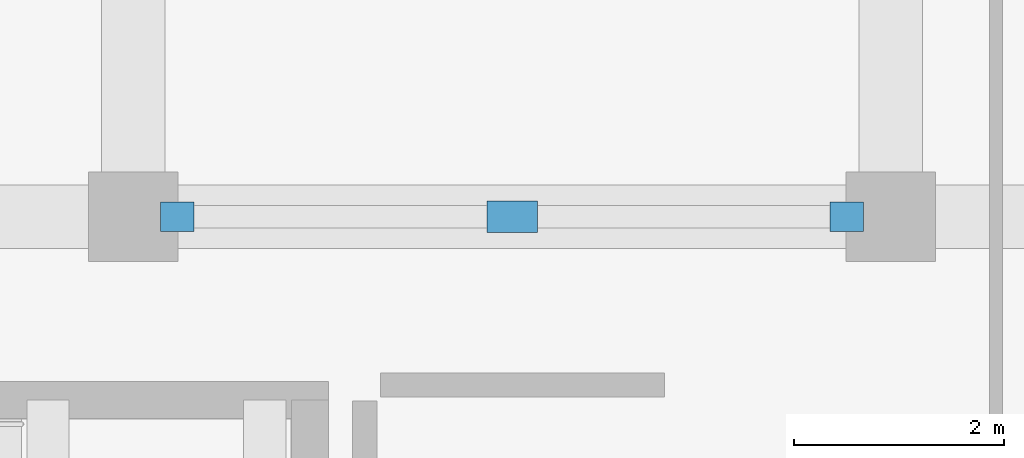
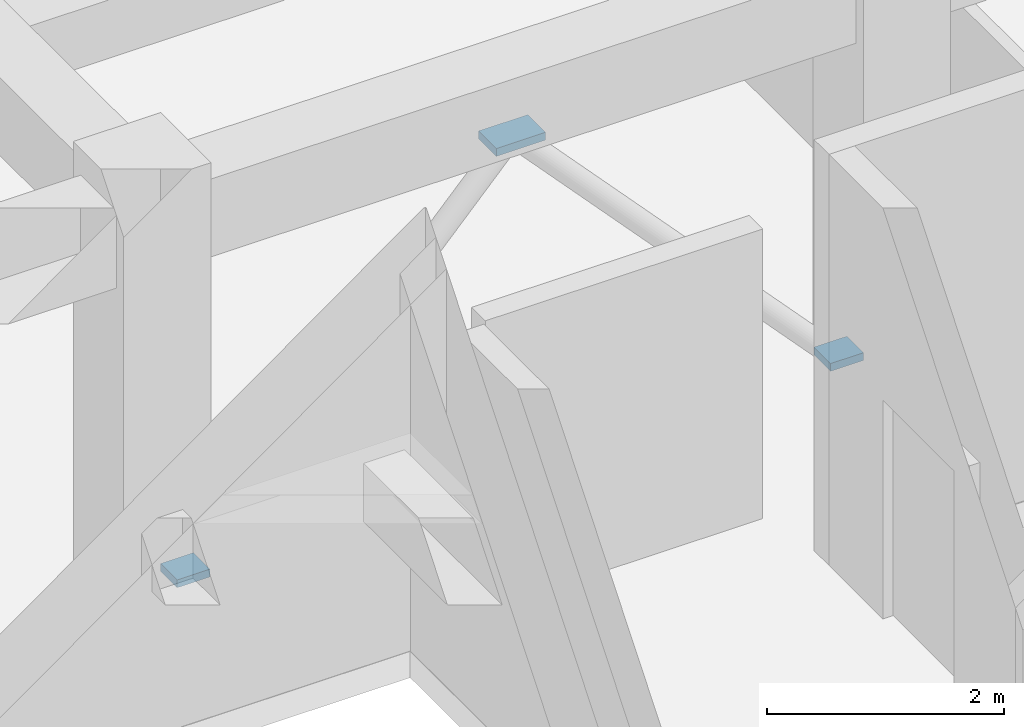
# One storey, part 41 of 48: 3 discrete accessories.
"""IFC4 building model written with IfcOpenShell, lengths in metres."""

from ifc_helpers import new_model, si_unit, direction, frame, origin, origin_2d, place, context, subcontext, project, spatial, rectangle, extrude, material, type_object, element, save


model = new_model("IFC4")

# Units and contexts
model_context = context("Model", 3, precision=1e-05, world=origin(), true_north=direction((0.0, 1.0)))
body_context = subcontext(model_context, "Body", "Model", "MODEL_VIEW")
ifc_project = project(units=[si_unit("LENGTHUNIT", "METRE"), si_unit("AREAUNIT", "SQUARE_METRE"), si_unit("VOLUMEUNIT", "CUBIC_METRE"), si_unit("PLANEANGLEUNIT", "RADIAN"), si_unit("MASSUNIT", "GRAM", prefix="KILO")], contexts=[model_context])

# Site, building, storey
site_placement = place(None, origin())
site = spatial("IfcSite", under=ifc_project, at=site_placement, CompositionType="ELEMENT")
building_placement = place(site_placement, origin())
building = spatial("IfcBuilding", under=site, at=building_placement, Name="Kazehaya Institute of Natural Sciences", CompositionType="ELEMENT")
storey_placement = place(building_placement, frame((0.0, 0.0, 19.800048828125)))
storey = spatial("IfcBuildingStorey", under=building, at=storey_placement, Name="L04", CompositionType="ELEMENT", Elevation=19.800048828125)

# Discrete accessories
ifc_material = material(Name="Structural steel SN490B", Category="steel")
discrete_accessory_type = type_object("IfcDiscreteAccessoryType", Name="ACC-STL-CAP", PredefinedType="BRACKET", material=ifc_material)
for number, where, z_axis, x_axis, name in (
    (1, (69.419921875, 28.39990234375, 0.010009765625), (0.0, 0.0, 1.0), (1.0, 0.0, 0.0), "L04 brace base gusset end plate 9"),
    (2, (75.780029296875, 28.39990234375, 0.010009765625), (0.0, 0.0, 1.0), (1.0, 0.0, 0.0), "L04 brace base gusset end plate 10"),
):
    element("IfcDiscreteAccessory", number, at=place(storey_placement, frame(where, z_axis=z_axis, x_axis=x_axis)), inside=storey, type_object=discrete_accessory_type, Name=name, PredefinedType="BRACKET", context=body_context, shape_type="SweptSolid", body=[
        extrude(rectangle(XDim=0.320068359375, YDim=0.280029296875, at=origin_2d()), origin(), (0.0, 0.0, 1.0), 0.080078125),
    ])
discrete_accessory_placement = place(storey_placement, frame((72.60009765625, 28.39990234375, 3.369873046875), z_axis=(0.0, 0.0, 1.0), x_axis=(1.0, 0.0, 0.0)))
element("IfcDiscreteAccessory", 3, at=discrete_accessory_placement, inside=storey, type_object=discrete_accessory_type, Name="L04 chevron brace apex gusset plate", PredefinedType="BRACKET", context=body_context, shape_type="SweptSolid", body=[
    extrude(rectangle(XDim=0.47998046875, YDim=0.300048828125, at=origin_2d()), origin(), (0.0, 0.0, 1.0), 0.080078125),
])

save(model, "model.ifc")
